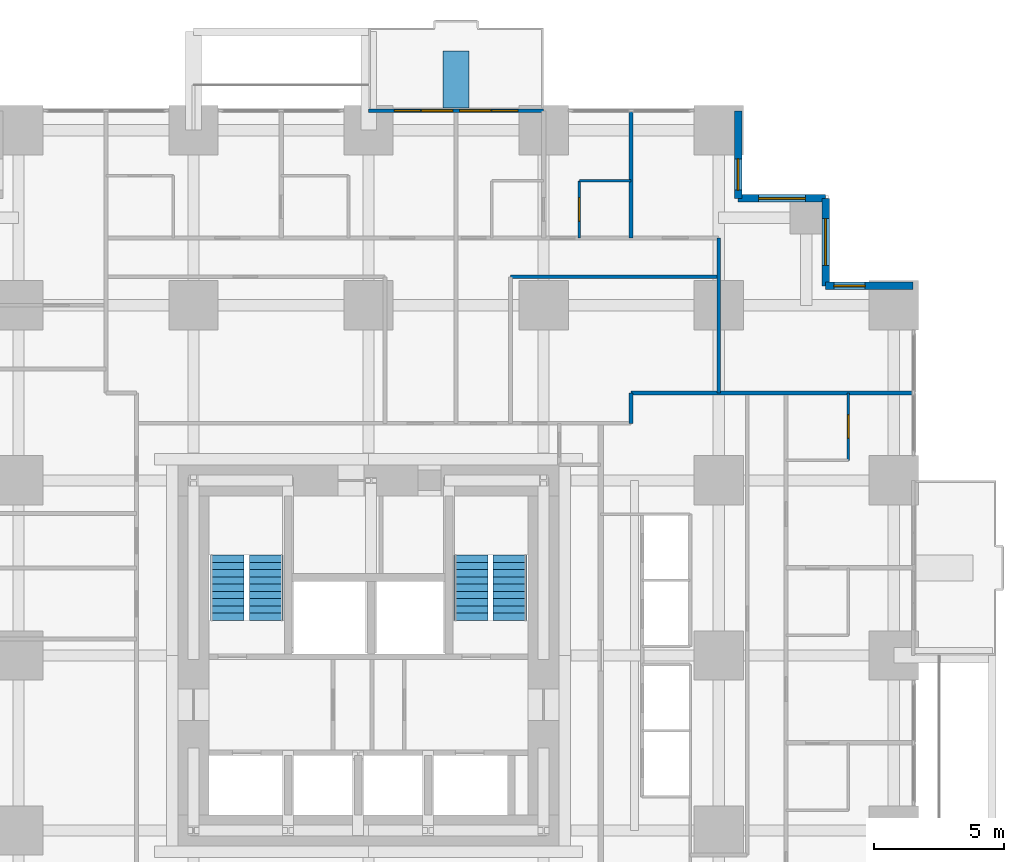
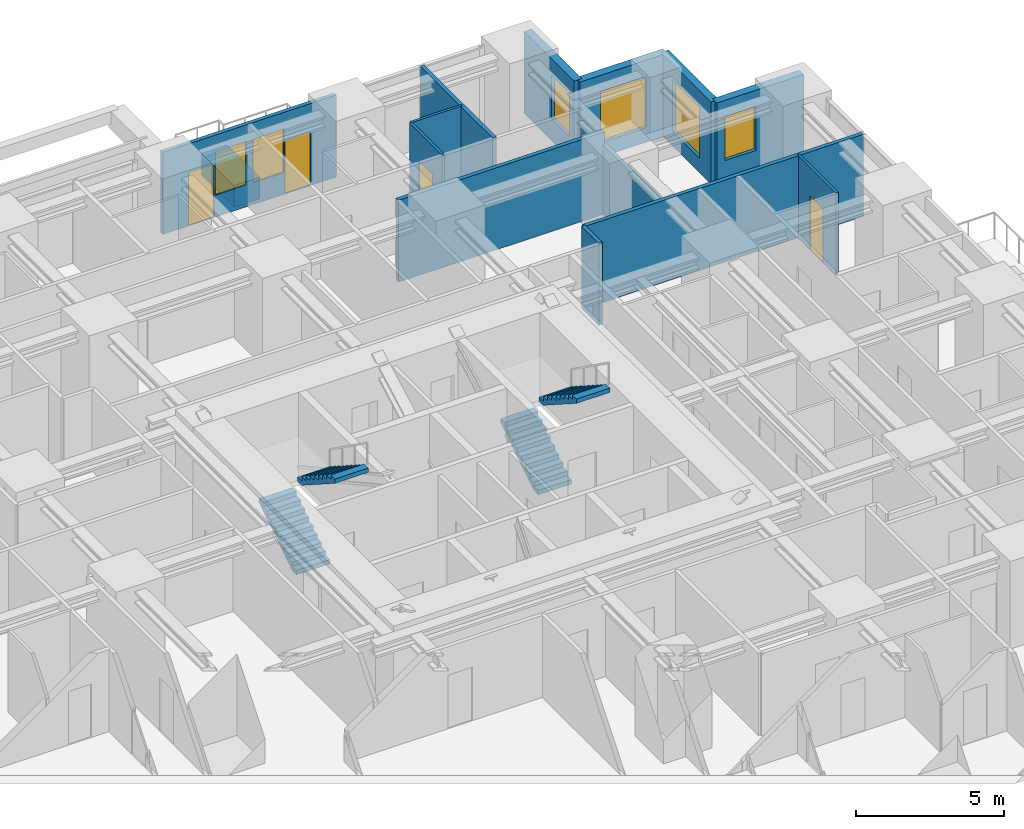
# One storey, part 13 of 14: 14 walls, 6 windows, 4 doors, 4 stair flights, 10 openings, 2 elements without a shape of their own.
"""IFC4 building model written with IfcOpenShell, lengths in metres."""

from ifc_helpers import new_model, si_unit, direction, frame, frame_2d, origin, place, context, subcontext, project, spatial, polyline, rectangle, outline, extrude, material, layer, layer_set, type_object, element, fill, aggregate, save


model = new_model("IFC4")

# Units and contexts
model_context = context("Model", 3, precision=1e-05, world=origin(), true_north=direction((0.0, 1.0)))
body_context = subcontext(model_context, "Body", "Model", "MODEL_VIEW")
ifc_project = project(units=[si_unit("LENGTHUNIT", "METRE"), si_unit("AREAUNIT", "SQUARE_METRE"), si_unit("VOLUMEUNIT", "CUBIC_METRE"), si_unit("PLANEANGLEUNIT", "RADIAN"), si_unit("MASSUNIT", "GRAM", prefix="KILO")], contexts=[model_context])

# Site, building, storey
site_placement = place(None, origin())
site = spatial("IfcSite", under=ifc_project, at=site_placement, CompositionType="ELEMENT")
building_placement = place(site_placement, origin())
building = spatial("IfcBuilding", under=site, at=building_placement, Name="Nyansa Garden Tower", CompositionType="ELEMENT")
storey_placement = place(building_placement, frame((0.0, 0.0, 21.60009765625)))
storey = spatial("IfcBuildingStorey", under=building, at=storey_placement, Name="L05", CompositionType="ELEMENT", Elevation=21.60009765625)

# Wall, openings, doors, windows
ifc_material_1 = material(Name="Black aluminium framed glazed screen", Category="aluminium")
ifc_layer_1 = layer(ifc_material_1, 0.14990234375)
ifc_layer_set_1 = layer_set([ifc_layer_1], Name="Balcony screen wall BW150")
wall_type_1 = type_object("IfcWallType", Name="Balcony screen wall BW150", PredefinedType="SOLIDWALL", material=ifc_layer_set_1)
wall_1_placement = place(storey_placement, frame((20.25, 41.25, 0.0), z_axis=(0.0, 0.0, 1.0), x_axis=(1.0, 0.0, 0.0)))
wall_1 = element("IfcWall", 1, at=wall_1_placement, inside=storey, type_object=wall_type_1, Name="Glazed screen wall L05 N", PredefinedType="SOLIDWALL", context=body_context, shape_type="SweptSolid", body=[
    extrude(rectangle(XDim=6.75, YDim=0.14990234375, at=frame_2d((3.375, 0.0))), origin(), (0.0, 0.0, 1.0), 3.375),
])
opening_1_placement = place(wall_1_placement, frame((0.995849609375, 0.0, 0.0)))
opening_1 = element("IfcOpeningElement", 2, at=opening_1_placement, cuts=wall_1, Name="Opening D20", PredefinedType="OPENING", context=body_context, shape_type="SweptSolid", body=[
    extrude(rectangle(XDim=1.0, YDim=2.199951171875, at=frame_2d((0.5, 1.10009765625))), frame((0.0, 0.0849609375, 0.0), z_axis=(0.0, -1.0, 0.0), x_axis=(1.0, 0.0, 0.0)), (0.0, 0.0, 1.0), 0.169921875),
])
opening_2_placement = place(wall_1_placement, frame((2.041748046875, 0.0, 0.89990234375)))
opening_2 = element("IfcOpeningElement", 3, at=opening_2_placement, cuts=wall_1, Name="Opening W6", PredefinedType="OPENING", context=body_context, shape_type="SweptSolid", body=[
    extrude(rectangle(XDim=1.199951171875, YDim=1.800048828125, at=frame_2d((0.60009765625, 0.89990234375))), frame((0.0, 0.0849609375, 0.0), z_axis=(0.0, -1.0, 0.0), x_axis=(1.0, 0.0, 0.0)), (0.0, 0.0, 1.0), 0.169921875),
])
opening_3_placement = place(wall_1_placement, frame((4.754150390625, 0.0, 0.0)))
opening_3 = element("IfcOpeningElement", 4, at=opening_3_placement, cuts=wall_1, Name="Opening D20", PredefinedType="OPENING", context=body_context, shape_type="SweptSolid", body=[
    extrude(rectangle(XDim=1.0, YDim=2.199951171875, at=frame_2d((0.5, 1.10009765625))), frame((0.0, 0.0849609375, 0.0), z_axis=(0.0, -1.0, 0.0), x_axis=(1.0, 0.0, 0.0)), (0.0, 0.0, 1.0), 0.169921875),
])
opening_4_placement = place(wall_1_placement, frame((3.50830078125, 0.0, 0.89990234375)))
opening_4 = element("IfcOpeningElement", 5, at=opening_4_placement, cuts=wall_1, Name="Opening W6", PredefinedType="OPENING", context=body_context, shape_type="SweptSolid", body=[
    extrude(rectangle(XDim=1.199951171875, YDim=1.800048828125, at=frame_2d((0.60009765625, 0.89990234375))), frame((0.0, 0.0849609375, 0.0), z_axis=(0.0, -1.0, 0.0), x_axis=(1.0, 0.0, 0.0)), (0.0, 0.0, 1.0), 0.169921875),
])
ifc_material_2 = material(Name="Black aluminium framed glazed door", Category="aluminium")
door_type_1 = type_object("IfcDoorType", Name="Balcony door D20 1000x2200", OperationType="NOTDEFINED", PredefinedType="DOOR", material=ifc_material_2)
door_1_placement = place(opening_1_placement, origin())
door_1 = element("IfcDoor", 6, at=door_1_placement, inside=storey, type_object=door_type_1, Name="Balcony door L05", OperationType="SINGLE_SWING_LEFT", OverallHeight=2.199951171875, OverallWidth=1.0, PredefinedType="DOOR", context=body_context, shape_type="SweptSolid", body=[
    extrude(rectangle(XDim=1.0, YDim=2.199951171875, at=frame_2d((0.5, 1.10009765625))), frame((0.0, 0.02490234375, 0.0), z_axis=(0.0, -1.0, 0.0), x_axis=(1.0, 0.0, 0.0)), (0.0, 0.0, 1.0), 0.050048828125),
])
fill(opening_1, door_1)
door_2_placement = place(opening_3_placement, origin())
door_2 = element("IfcDoor", 7, at=door_2_placement, inside=storey, type_object=door_type_1, Name="Balcony door L05", OperationType="SINGLE_SWING_RIGHT", OverallHeight=2.199951171875, OverallWidth=1.0, PredefinedType="DOOR", context=body_context, shape_type="SweptSolid", body=[
    extrude(rectangle(XDim=1.0, YDim=2.199951171875, at=frame_2d((0.5, 1.10009765625))), frame((0.0, 0.02490234375, 0.0), z_axis=(0.0, -1.0, 0.0), x_axis=(1.0, 0.0, 0.0)), (0.0, 0.0, 1.0), 0.050048828125),
])
fill(opening_3, door_2)
ifc_material_3 = material(Name="Black aluminium frame, dark tinted double glazing", Category="aluminium")
window_type_1 = type_object("IfcWindowType", Name="Balcony window W6 1200x1800", PartitioningType="SINGLE_PANEL", PredefinedType="WINDOW", material=ifc_material_3)
window_1_placement = place(opening_2_placement, origin())
window_1 = element("IfcWindow", 8, at=window_1_placement, inside=storey, type_object=window_type_1, Name="Window L05", OverallHeight=1.800048828125, OverallWidth=1.199951171875, PartitioningType="SINGLE_PANEL", PredefinedType="WINDOW", context=body_context, shape_type="SweptSolid", body=[
    extrude(rectangle(XDim=1.199951171875, YDim=1.800048828125, at=frame_2d((0.60009765625, 0.89990234375))), frame((0.0, 0.030029296875, 0.0), z_axis=(0.0, -1.0, 0.0), x_axis=(1.0, 0.0, 0.0)), (0.0, 0.0, 1.0), 0.06005859375),
])
fill(opening_2, window_1)
window_2_placement = place(opening_4_placement, origin())
window_2 = element("IfcWindow", 9, at=window_2_placement, inside=storey, type_object=window_type_1, Name="Window L05", OverallHeight=1.800048828125, OverallWidth=1.199951171875, PartitioningType="SINGLE_PANEL", PredefinedType="WINDOW", context=body_context, shape_type="SweptSolid", body=[
    extrude(rectangle(XDim=1.199951171875, YDim=1.800048828125, at=frame_2d((0.60009765625, 0.89990234375))), frame((0.0, 0.030029296875, 0.0), z_axis=(0.0, -1.0, 0.0), x_axis=(1.0, 0.0, 0.0)), (0.0, 0.0, 1.0), 0.06005859375),
])
fill(opening_4, window_2)

# Walls
ifc_material_4 = material(Name="Blockwork, plastered both sides", Category="masonry")
ifc_layer_2 = layer(ifc_material_4, 0.14990234375)
ifc_layer_set_2 = layer_set([ifc_layer_2], Name="Partition PW150")
wall_type_2 = type_object("IfcWallType", Name="Partition PW150", PredefinedType="PARTITIONING", material=ifc_layer_set_2)
wall_2_placement = place(storey_placement, frame((25.72509765625, 34.85009765625, 0.0), z_axis=(0.0, 0.0, 1.0), x_axis=(1.0, 0.0, 0.0)))
element("IfcWall", 10, at=wall_2_placement, inside=storey, type_object=wall_type_2, Name="Partition", PredefinedType="PARTITIONING", context=body_context, shape_type="SweptSolid", body=[
    extrude(rectangle(XDim=8.02490234375, YDim=0.14990234375, at=frame_2d((4.012451171875, 0.0))), origin(), (0.0, 0.0, 1.0), 3.375),
])
wall_3_placement = place(storey_placement, frame((30.375, 29.199951171875, 0.0), z_axis=(0.0, 0.0, 1.0), x_axis=(0.0, 1.0, 0.0)))
element("IfcWall", 11, at=wall_3_placement, inside=storey, type_object=wall_type_2, Name="Partition", PredefinedType="PARTITIONING", context=body_context, shape_type="SweptSolid", body=[
    extrude(rectangle(XDim=1.175048828125, YDim=0.14990234375, at=frame_2d((0.58740234375, 0.0))), origin(), (0.0, 0.0, 1.0), 3.375),
])
wall_4_placement = place(storey_placement, frame((30.375, 30.375, 0.0), z_axis=(0.0, 0.0, 1.0), x_axis=(1.0, 0.0, 0.0)))
element("IfcWall", 12, at=wall_4_placement, inside=storey, type_object=wall_type_2, Name="Partition", PredefinedType="PARTITIONING", context=body_context, shape_type="SweptSolid", body=[
    extrude(rectangle(XDim=10.85888671875, YDim=0.14990234375, at=frame_2d((5.429443359375, 0.0))), origin(), (0.0, 0.0, 1.0), 3.375),
])
wall_5_placement = place(storey_placement, frame((30.375, 36.35009765625, 0.0), z_axis=(0.0, 0.0, 1.0), x_axis=(0.0, 1.0, 0.0)))
element("IfcWall", 13, at=wall_5_placement, inside=storey, type_object=wall_type_2, Name="Partition", PredefinedType="PARTITIONING", context=body_context, shape_type="SweptSolid", body=[
    extrude(rectangle(XDim=4.8837890625, YDim=0.14990234375, at=frame_2d((2.44189453125, 0.0))), origin(), (0.0, 0.0, 1.0), 3.375),
])
wall_6_placement = place(storey_placement, frame((33.75, 30.375, 0.0), z_axis=(0.0, 0.0, 1.0), x_axis=(0.0, 1.0, 0.0)))
element("IfcWall", 14, at=wall_6_placement, inside=storey, type_object=wall_type_2, Name="Partition", PredefinedType="PARTITIONING", context=body_context, shape_type="SweptSolid", body=[
    extrude(rectangle(XDim=5.97509765625, YDim=0.14990234375, at=frame_2d((2.987548828125, 0.0))), origin(), (0.0, 0.0, 1.0), 2.876953125),
])

# Wall, opening, window
ifc_material_5 = material(Name="Turquoise glazed tile on concrete blockwork", Category="masonry")
ifc_layer_3 = layer(ifc_material_5, 0.300048828125)
ifc_layer_set_3 = layer_set([ifc_layer_3], Name="Tiled corner wall TW300")
wall_type_3 = type_object("IfcWallType", Name="Tiled corner wall TW300", PredefinedType="SOLIDWALL", material=ifc_layer_set_3)
wall_7_placement = place(storey_placement, frame((41.25, 34.5, 0.0), z_axis=(0.0, 0.0, 1.0), x_axis=(-1.0, 0.0, 0.0)))
wall_7 = element("IfcWall", 15, at=wall_7_placement, inside=storey, type_object=wall_type_3, Name="Tiled corner wall L05", PredefinedType="SOLIDWALL", context=body_context, shape_type="SweptSolid", body=[
    extrude(rectangle(XDim=3.375, YDim=0.300048828125, at=frame_2d((1.6875, 0.0))), origin(), (0.0, 0.0, 1.0), 3.375),
])
opening_5_placement = place(wall_7_placement, frame((1.857421875, 0.0, 0.89990234375)))
opening_5 = element("IfcOpeningElement", 16, at=opening_5_placement, cuts=wall_7, Name="Opening W4", PredefinedType="OPENING", context=body_context, shape_type="SweptSolid", body=[
    extrude(rectangle(XDim=1.199951171875, YDim=1.800048828125, at=frame_2d((0.60009765625, 0.89990234375))), frame((0.0, 0.159912109375, 0.0), z_axis=(0.0, -1.0, 0.0), x_axis=(1.0, 0.0, 0.0)), (0.0, 0.0, 1.0), 0.320068359375),
])
ifc_material_6 = material(Name="Black aluminium frame, dark tinted double glazing", Category="aluminium")
window_type_2 = type_object("IfcWindowType", Name="Window W4 1200x1800", PartitioningType="SINGLE_PANEL", PredefinedType="WINDOW", material=ifc_material_6)
window_3_placement = place(opening_5_placement, origin())
window_3 = element("IfcWindow", 17, at=window_3_placement, inside=storey, type_object=window_type_2, Name="Corner window L05", OverallHeight=1.800048828125, OverallWidth=1.199951171875, PartitioningType="SINGLE_PANEL", PredefinedType="WINDOW", context=body_context, shape_type="SweptSolid", body=[
    extrude(rectangle(XDim=1.199951171875, YDim=1.800048828125, at=frame_2d((0.60009765625, 0.89990234375))), frame((0.0, 0.030029296875, 0.0), z_axis=(0.0, -1.0, 0.0), x_axis=(1.0, 0.0, 0.0)), (0.0, 0.0, 1.0), 0.06005859375),
])
fill(opening_5, window_3)

wall_8_placement = place(storey_placement, frame((37.875, 34.5, 0.0), z_axis=(0.0, 0.0, 1.0), x_axis=(0.0, 1.0, 0.0)))
wall_8 = element("IfcWall", 18, at=wall_8_placement, inside=storey, type_object=wall_type_3, Name="Tiled corner wall L05", PredefinedType="SOLIDWALL", context=body_context, shape_type="SweptSolid", body=[
    extrude(rectangle(XDim=3.375, YDim=0.300048828125, at=frame_2d((1.6875, 0.0))), origin(), (0.0, 0.0, 1.0), 3.375),
])
opening_6_placement = place(wall_8_placement, frame((0.78759765625, 0.0, 0.60009765625)))
opening_6 = element("IfcOpeningElement", 19, at=opening_6_placement, cuts=wall_8, Name="Opening W2", PredefinedType="OPENING", context=body_context, shape_type="SweptSolid", body=[
    extrude(rectangle(XDim=1.800048828125, YDim=2.10009765625, at=frame_2d((0.89990234375, 1.050048828125))), frame((0.0, 0.159912109375, 0.0), z_axis=(0.0, -1.0, 0.0), x_axis=(1.0, 0.0, 0.0)), (0.0, 0.0, 1.0), 0.320068359375),
])
ifc_material_7 = material(Name="Black aluminium frame, dark tinted double glazing", Category="aluminium")
window_type_3 = type_object("IfcWindowType", Name="Window W2 1800x2100", PartitioningType="SINGLE_PANEL", PredefinedType="WINDOW", material=ifc_material_7)
window_4_placement = place(opening_6_placement, origin())
window_4 = element("IfcWindow", 20, at=window_4_placement, inside=storey, type_object=window_type_3, Name="Corner window L05", OverallHeight=2.10009765625, OverallWidth=1.800048828125, PartitioningType="SINGLE_PANEL", PredefinedType="WINDOW", context=body_context, shape_type="SweptSolid", body=[
    extrude(rectangle(XDim=1.800048828125, YDim=2.10009765625, at=frame_2d((0.89990234375, 1.050048828125))), frame((0.0, 0.030029296875, 0.0), z_axis=(0.0, -1.0, 0.0), x_axis=(1.0, 0.0, 0.0)), (0.0, 0.0, 1.0), 0.06005859375),
])
fill(opening_6, window_4)

wall_9_placement = place(storey_placement, frame((37.875, 37.875, 0.0), z_axis=(0.0, 0.0, 1.0), x_axis=(-1.0, 0.0, 0.0)))
wall_9 = element("IfcWall", 21, at=wall_9_placement, inside=storey, type_object=wall_type_3, Name="Tiled corner wall L05", PredefinedType="SOLIDWALL", context=body_context, shape_type="SweptSolid", body=[
    extrude(rectangle(XDim=3.375, YDim=0.300048828125, at=frame_2d((1.6875, 0.0))), origin(), (0.0, 0.0, 1.0), 3.375),
])
opening_7_placement = place(wall_9_placement, frame((0.78759765625, 0.0, 0.60009765625)))
opening_7 = element("IfcOpeningElement", 22, at=opening_7_placement, cuts=wall_9, Name="Opening W2", PredefinedType="OPENING", context=body_context, shape_type="SweptSolid", body=[
    extrude(rectangle(XDim=1.800048828125, YDim=2.10009765625, at=frame_2d((0.89990234375, 1.050048828125))), frame((0.0, 0.159912109375, 0.0), z_axis=(0.0, -1.0, 0.0), x_axis=(1.0, 0.0, 0.0)), (0.0, 0.0, 1.0), 0.320068359375),
])
window_5_placement = place(opening_7_placement, origin())
window_5 = element("IfcWindow", 23, at=window_5_placement, inside=storey, type_object=window_type_3, Name="Corner window L05", OverallHeight=2.10009765625, OverallWidth=1.800048828125, PartitioningType="SINGLE_PANEL", PredefinedType="WINDOW", context=body_context, shape_type="SweptSolid", body=[
    extrude(rectangle(XDim=1.800048828125, YDim=2.10009765625, at=frame_2d((0.89990234375, 1.050048828125))), frame((0.0, 0.030029296875, 0.0), z_axis=(0.0, -1.0, 0.0), x_axis=(1.0, 0.0, 0.0)), (0.0, 0.0, 1.0), 0.06005859375),
])
fill(opening_7, window_5)

wall_10_placement = place(storey_placement, frame((34.5, 37.875, 0.0), z_axis=(0.0, 0.0, 1.0), x_axis=(0.0, 1.0, 0.0)))
wall_10 = element("IfcWall", 24, at=wall_10_placement, inside=storey, type_object=wall_type_3, Name="Tiled corner wall L05", PredefinedType="SOLIDWALL", context=body_context, shape_type="SweptSolid", body=[
    extrude(rectangle(XDim=3.375, YDim=0.300048828125, at=frame_2d((1.6875, 0.0))), origin(), (0.0, 0.0, 1.0), 3.375),
])
opening_8_placement = place(wall_10_placement, frame((0.3173828125, 0.0, 0.89990234375)))
opening_8 = element("IfcOpeningElement", 25, at=opening_8_placement, cuts=wall_10, Name="Opening W4", PredefinedType="OPENING", context=body_context, shape_type="SweptSolid", body=[
    extrude(rectangle(XDim=1.199951171875, YDim=1.800048828125, at=frame_2d((0.60009765625, 0.89990234375))), frame((0.0, 0.159912109375, 0.0), z_axis=(0.0, -1.0, 0.0), x_axis=(1.0, 0.0, 0.0)), (0.0, 0.0, 1.0), 0.320068359375),
])
window_6_placement = place(opening_8_placement, origin())
window_6 = element("IfcWindow", 26, at=window_6_placement, inside=storey, type_object=window_type_2, Name="Corner window L05", OverallHeight=1.800048828125, OverallWidth=1.199951171875, PartitioningType="SINGLE_PANEL", PredefinedType="WINDOW", context=body_context, shape_type="SweptSolid", body=[
    extrude(rectangle(XDim=1.199951171875, YDim=1.800048828125, at=frame_2d((0.60009765625, 0.89990234375))), frame((0.0, 0.030029296875, 0.0), z_axis=(0.0, -1.0, 0.0), x_axis=(1.0, 0.0, 0.0)), (0.0, 0.0, 1.0), 0.06005859375),
])
fill(opening_8, window_6)

# Wall
ifc_material_8 = material(Name="Concrete C40/50 planter, waterproofed", Category="concrete")
ifc_layer_4 = layer(ifc_material_8, 1.0)
ifc_layer_set_4 = layer_set([ifc_layer_4], Name="Tree planter TP1")
wall_type_4 = type_object("IfcWallType", Name="Tree planter TP1", PredefinedType="USERDEFINED", material=ifc_layer_set_4)
wall_11_placement = place(storey_placement, frame((23.625, 41.35009765625, 0.0), z_axis=(0.0, 0.0, 1.0), x_axis=(0.0, 1.0, 0.0)))
element("IfcWall", 27, at=wall_11_placement, inside=storey, type_object=wall_type_4, Name="Tree planter L05", ObjectType="TREE PLANTER", PredefinedType="USERDEFINED", context=body_context, shape_type="SweptSolid", body=[
    extrude(rectangle(XDim=2.199951171875, YDim=1.0, at=frame_2d((1.10009765625, 0.0))), origin(), (0.0, 0.0, 1.0), 0.89990234375),
])

# Wall, opening, door
ifc_material_9 = material(Name="Moisture resistant board on steel studs, tiled", Category="steel")
ifc_layer_5 = layer(ifc_material_9, 0.10009765625)
ifc_layer_set_5 = layer_set([ifc_layer_5], Name="Wet wall PW100")
wall_type_5 = type_object("IfcWallType", Name="Wet wall PW100", PredefinedType="PARTITIONING", material=ifc_layer_set_5)
wall_12_placement = place(storey_placement, frame((28.375, 36.35009765625, 0.0), z_axis=(0.0, 0.0, 1.0), x_axis=(0.0, 1.0, 0.0)))
wall_12 = element("IfcWall", 28, at=wall_12_placement, inside=storey, type_object=wall_type_5, Name="Wet wall", PredefinedType="PARTITIONING", context=body_context, shape_type="SweptSolid", body=[
    extrude(rectangle(XDim=2.199951171875, YDim=0.10009765625, at=frame_2d((1.10009765625, 0.0))), origin(), (0.0, 0.0, 1.0), 3.375),
])
opening_9_placement = place(wall_12_placement, frame((0.64990234375, 0.0, 0.0)))
opening_9 = element("IfcOpeningElement", 29, at=opening_9_placement, cuts=wall_12, Name="Opening D02", PredefinedType="OPENING", context=body_context, shape_type="SweptSolid", body=[
    extrude(rectangle(XDim=0.89990234375, YDim=2.199951171875, at=frame_2d((0.449951171875, 1.10009765625))), frame((0.0, 0.06005859375, 0.0), z_axis=(0.0, -1.0, 0.0), x_axis=(1.0, 0.0, 0.0)), (0.0, 0.0, 1.0), 0.1201171875),
])
ifc_material_10 = material(Name="Timber flush door", Category="wood")
door_type_2 = type_object("IfcDoorType", Name="En-suite door D02 900x2200", OperationType="SINGLE_SWING_RIGHT", PredefinedType="DOOR", material=ifc_material_10)
door_3_placement = place(opening_9_placement, origin())
door_3 = element("IfcDoor", 30, at=door_3_placement, inside=storey, type_object=door_type_2, Name="Door L05-049", OperationType="SINGLE_SWING_RIGHT", OverallHeight=2.199951171875, OverallWidth=0.89990234375, PredefinedType="DOOR", context=body_context, shape_type="SweptSolid", body=[
    extrude(rectangle(XDim=0.89990234375, YDim=2.199951171875, at=frame_2d((0.449951171875, 1.10009765625))), frame((0.0, 0.02490234375, 0.0), z_axis=(0.0, -1.0, 0.0), x_axis=(1.0, 0.0, 0.0)), (0.0, 0.0, 1.0), 0.050048828125),
])
fill(opening_9, door_3)

# Wall
wall_13_placement = place(storey_placement, frame((28.375, 38.550048828125, 0.0), z_axis=(0.0, 0.0, 1.0), x_axis=(1.0, 0.0, 0.0)))
element("IfcWall", 31, at=wall_13_placement, inside=storey, type_object=wall_type_5, Name="Wet wall", PredefinedType="PARTITIONING", context=body_context, shape_type="SweptSolid", body=[
    extrude(rectangle(XDim=2.0, YDim=0.10009765625, at=frame_2d((1.0, 0.0))), origin(), (0.0, 0.0, 1.0), 3.375),
])

# Wall, opening, door
wall_14_placement = place(storey_placement, frame((38.75, 27.77490234375, 0.0), z_axis=(0.0, 0.0, 1.0), x_axis=(0.0, 1.0, 0.0)))
wall_14 = element("IfcWall", 32, at=wall_14_placement, inside=storey, type_object=wall_type_5, Name="Wet wall", PredefinedType="PARTITIONING", context=body_context, shape_type="SweptSolid", body=[
    extrude(rectangle(XDim=2.60009765625, YDim=0.10009765625, at=frame_2d((1.300048828125, 0.0))), origin(), (0.0, 0.0, 1.0), 3.375),
])
opening_10_placement = place(wall_14_placement, frame((0.85009765625, 0.0, 0.0)))
opening_10 = element("IfcOpeningElement", 33, at=opening_10_placement, cuts=wall_14, Name="Opening D02", PredefinedType="OPENING", context=body_context, shape_type="SweptSolid", body=[
    extrude(rectangle(XDim=0.89990234375, YDim=2.199951171875, at=frame_2d((0.449951171875, 1.10009765625))), frame((0.0, 0.06005859375, 0.0), z_axis=(0.0, -1.0, 0.0), x_axis=(1.0, 0.0, 0.0)), (0.0, 0.0, 1.0), 0.1201171875),
])
door_4_placement = place(opening_10_placement, origin())
door_4 = element("IfcDoor", 34, at=door_4_placement, inside=storey, type_object=door_type_2, Name="Door L05-040", OperationType="SINGLE_SWING_RIGHT", OverallHeight=2.199951171875, OverallWidth=0.89990234375, PredefinedType="DOOR", context=body_context, shape_type="SweptSolid", body=[
    extrude(rectangle(XDim=0.89990234375, YDim=2.199951171875, at=frame_2d((0.449951171875, 1.10009765625))), frame((0.0, 0.02490234375, 0.0), z_axis=(0.0, -1.0, 0.0), x_axis=(1.0, 0.0, 0.0)), (0.0, 0.0, 1.0), 0.050048828125),
])
fill(opening_10, door_4)

# Stair, stair flights
ifc_material_11 = material(Name="Precast concrete C40/50", Category="concrete")
stair_type_1 = type_object("IfcStairType", Name="Stair S1 180x280", PredefinedType="HALF_TURN_STAIR", material=ifc_material_11)
stair_1_placement = place(storey_placement, origin())
stair_1 = element("IfcStair", 35, at=stair_1_placement, inside=storey, type_object=stair_type_1, Name="Stair S1 L05", PredefinedType="HALF_TURN_STAIR")
ifc_material_12 = material(Name="Precast concrete C40/50", Category="concrete")
stair_flight_type_1 = type_object("IfcStairFlightType", Name="Stair flight S1 180x280x10", PredefinedType="STRAIGHT", material=ifc_material_12)
stair_flight_1_placement = place(storey_placement, frame((14.800048828125, 21.60009765625, 0.0), z_axis=(0.0, 0.0, 1.0), x_axis=(0.0, 1.0, 0.0)))
stair_flight_1 = element("IfcStairFlight", 36, at=stair_flight_1_placement, type_object=stair_flight_type_1, Name="S1 flight 1", NumberOfRisers=10, NumberOfTreads=9, PredefinedType="STRAIGHT", RiserHeight=0.18, TreadLength=0.28, context=body_context, shape_type="SweptSolid", body=[
    extrude(outline(polyline([(0.0, 0.0), (0.0, 0.179931640625), (0.280029296875, 0.179931640625), (0.280029296875, 0.360107421875), (0.56005859375, 0.360107421875), (0.56005859375, 0.5400390625), (0.840087890625, 0.5400390625), (0.840087890625, 0.719970703125), (1.1201171875, 0.719970703125), (1.1201171875, 0.89990234375), (1.39990234375, 0.89990234375), (1.39990234375, 1.080078125), (1.679931640625, 1.080078125), (1.679931640625, 1.260009765625), (1.9599609375, 1.260009765625), (1.9599609375, 1.43994140625), (2.239990234375, 1.43994140625), (2.239990234375, 1.6201171875), (2.52001953125, 1.6201171875), (2.52001953125, 1.800048828125), (2.52001953125, 1.44189453125), (0.277099609375, 0.0), (0.0, 0.0)])), frame((0.0, 0.64990234375, 0.0), z_axis=(0.0, -1.0, 0.0), x_axis=(1.0, 0.0, 0.0)), (0.0, 0.0, 1.0), 1.300048828125),
])
stair_flight_2_placement = place(storey_placement, frame((16.300048828125, 24.1201171875, 1.7998046875), z_axis=(0.0, 0.0, 1.0), x_axis=(0.0, -1.0, 0.0)))
stair_flight_2 = element("IfcStairFlight", 37, at=stair_flight_2_placement, type_object=stair_flight_type_1, Name="S1 flight 2", NumberOfRisers=10, NumberOfTreads=9, PredefinedType="STRAIGHT", RiserHeight=0.18, TreadLength=0.28, context=body_context, shape_type="SweptSolid", body=[
    extrude(outline(polyline([(0.0, 0.0), (0.0, 0.179931640625), (0.280029296875, 0.179931640625), (0.280029296875, 0.360107421875), (0.56005859375, 0.360107421875), (0.56005859375, 0.5400390625), (0.840087890625, 0.5400390625), (0.840087890625, 0.719970703125), (1.1201171875, 0.719970703125), (1.1201171875, 0.89990234375), (1.39990234375, 0.89990234375), (1.39990234375, 1.080078125), (1.679931640625, 1.080078125), (1.679931640625, 1.260009765625), (1.9599609375, 1.260009765625), (1.9599609375, 1.43994140625), (2.239990234375, 1.43994140625), (2.239990234375, 1.6201171875), (2.52001953125, 1.6201171875), (2.52001953125, 1.800048828125), (2.52001953125, 1.44189453125), (0.277099609375, 0.0), (0.0, 0.0)])), frame((0.0, 0.64990234375, 0.0), z_axis=(0.0, -1.0, 0.0), x_axis=(1.0, 0.0, 0.0)), (0.0, 0.0, 1.0), 1.300048828125),
])
aggregate(stair_1, [stair_flight_1, stair_flight_2])

ifc_material_13 = material(Name="Precast concrete C40/50", Category="concrete")
stair_type_2 = type_object("IfcStairType", Name="Stair S2 180x280", PredefinedType="HALF_TURN_STAIR", material=ifc_material_13)
stair_2_placement = place(storey_placement, origin())
stair_2 = element("IfcStair", 38, at=stair_2_placement, inside=storey, type_object=stair_type_2, Name="Stair S2 L05", PredefinedType="HALF_TURN_STAIR")
ifc_material_14 = material(Name="Precast concrete C40/50", Category="concrete")
stair_flight_type_2 = type_object("IfcStairFlightType", Name="Stair flight S2 180x280x10", PredefinedType="STRAIGHT", material=ifc_material_14)
stair_flight_3_placement = place(storey_placement, frame((24.199951171875, 21.60009765625, 0.0), z_axis=(0.0, 0.0, 1.0), x_axis=(0.0, 1.0, 0.0)))
stair_flight_3 = element("IfcStairFlight", 39, at=stair_flight_3_placement, type_object=stair_flight_type_2, Name="S2 flight 1", NumberOfRisers=10, NumberOfTreads=9, PredefinedType="STRAIGHT", RiserHeight=0.18, TreadLength=0.28, context=body_context, shape_type="SweptSolid", body=[
    extrude(outline(polyline([(0.0, 0.0), (0.0, 0.179931640625), (0.280029296875, 0.179931640625), (0.280029296875, 0.360107421875), (0.56005859375, 0.360107421875), (0.56005859375, 0.5400390625), (0.840087890625, 0.5400390625), (0.840087890625, 0.719970703125), (1.1201171875, 0.719970703125), (1.1201171875, 0.89990234375), (1.39990234375, 0.89990234375), (1.39990234375, 1.080078125), (1.679931640625, 1.080078125), (1.679931640625, 1.260009765625), (1.9599609375, 1.260009765625), (1.9599609375, 1.43994140625), (2.239990234375, 1.43994140625), (2.239990234375, 1.6201171875), (2.52001953125, 1.6201171875), (2.52001953125, 1.800048828125), (2.52001953125, 1.44189453125), (0.277099609375, 0.0), (0.0, 0.0)])), frame((0.0, 0.64990234375, 0.0), z_axis=(0.0, -1.0, 0.0), x_axis=(1.0, 0.0, 0.0)), (0.0, 0.0, 1.0), 1.300048828125),
])
stair_flight_4_placement = place(storey_placement, frame((25.699951171875, 24.1201171875, 1.7998046875), z_axis=(0.0, 0.0, 1.0), x_axis=(0.0, -1.0, 0.0)))
stair_flight_4 = element("IfcStairFlight", 40, at=stair_flight_4_placement, type_object=stair_flight_type_2, Name="S2 flight 2", NumberOfRisers=10, NumberOfTreads=9, PredefinedType="STRAIGHT", RiserHeight=0.18, TreadLength=0.28, context=body_context, shape_type="SweptSolid", body=[
    extrude(outline(polyline([(0.0, 0.0), (0.0, 0.179931640625), (0.280029296875, 0.179931640625), (0.280029296875, 0.360107421875), (0.56005859375, 0.360107421875), (0.56005859375, 0.5400390625), (0.840087890625, 0.5400390625), (0.840087890625, 0.719970703125), (1.1201171875, 0.719970703125), (1.1201171875, 0.89990234375), (1.39990234375, 0.89990234375), (1.39990234375, 1.080078125), (1.679931640625, 1.080078125), (1.679931640625, 1.260009765625), (1.9599609375, 1.260009765625), (1.9599609375, 1.43994140625), (2.239990234375, 1.43994140625), (2.239990234375, 1.6201171875), (2.52001953125, 1.6201171875), (2.52001953125, 1.800048828125), (2.52001953125, 1.44189453125), (0.277099609375, 0.0), (0.0, 0.0)])), frame((0.0, 0.64990234375, 0.0), z_axis=(0.0, -1.0, 0.0), x_axis=(1.0, 0.0, 0.0)), (0.0, 0.0, 1.0), 1.300048828125),
])
aggregate(stair_2, [stair_flight_3, stair_flight_4])

save(model, "model.ifc")
